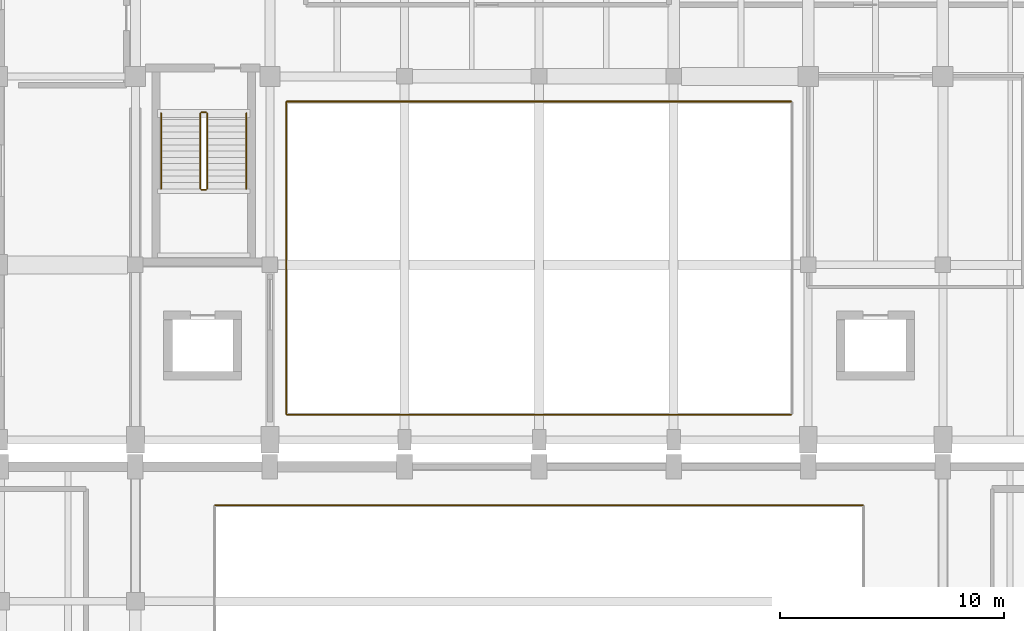
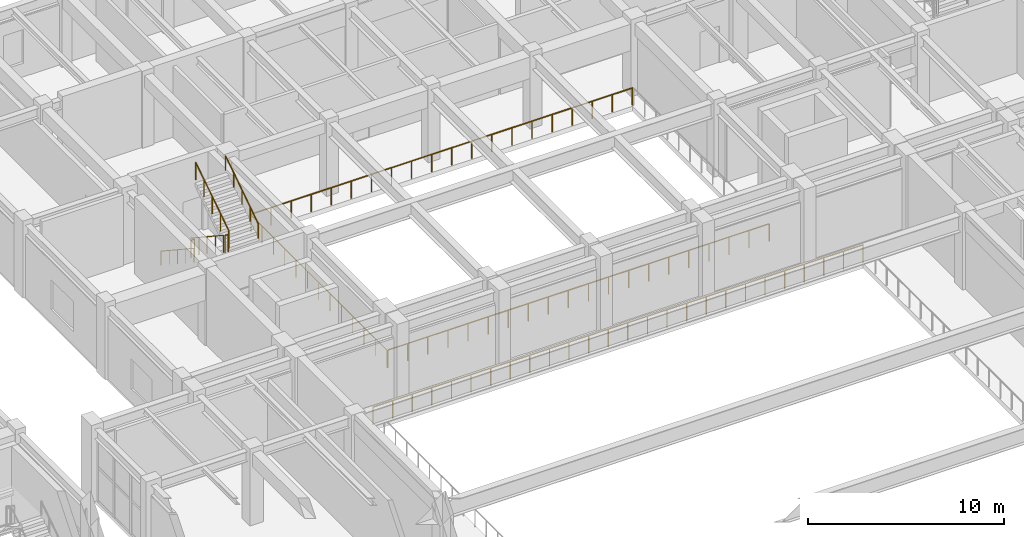
# One storey, part 94 of 96: 10 railings.
"""IFC4 building model written with IfcOpenShell, lengths in metres."""

from ifc_helpers import new_model, si_unit, direction, frame, origin, origin_2d, place, context, subcontext, project, spatial, circle, extrude, material, type_object, element, save


model = new_model("IFC4")

# Units and contexts
model_context = context("Model", 3, precision=1e-05, world=origin(), true_north=direction((0.0, 1.0)))
body_context = subcontext(model_context, "Body", "Model", "MODEL_VIEW")
ifc_project = project(units=[si_unit("LENGTHUNIT", "METRE"), si_unit("AREAUNIT", "SQUARE_METRE"), si_unit("VOLUMEUNIT", "CUBIC_METRE"), si_unit("PLANEANGLEUNIT", "RADIAN"), si_unit("MASSUNIT", "GRAM", prefix="KILO")], contexts=[model_context])

# Site, building, storey
site_placement = place(None, origin())
site = spatial("IfcSite", under=ifc_project, at=site_placement, CompositionType="ELEMENT")
building_placement = place(site_placement, origin())
building = spatial("IfcBuilding", under=site, at=building_placement, Name="Vaelkrest Opera House", CompositionType="ELEMENT")
storey_placement = place(building_placement, frame((0.0, 0.0, 5.39990234375)))
storey = spatial("IfcBuildingStorey", under=building, at=storey_placement, Name="L01", CompositionType="ELEMENT", Elevation=5.39990234375)

# Railings
ifc_material = material(Name="Dark bronze anodized aluminium", Category="aluminium")
railing_type_1 = type_object("IfcRailingType", Name="BL01", PredefinedType="BALUSTRADE", material=ifc_material)
railing_1_placement = place(storey_placement, frame((14.43994140625, 14.47998046875, 0.0)))
element("IfcRailing", 1, at=railing_1_placement, inside=storey, type_object=railing_type_1, Name="Atrium/stage void guard V1 L01-1 seg 3", PredefinedType="BALUSTRADE", context=body_context, shape_type="SweptSolid", body=[
    extrude(circle(Radius=0.02392578125, at=origin_2d()), frame((0.0, 0.0, 1.09619140625), z_axis=(-1.0, 0.0, 0.0), x_axis=(0.0, -1.0, 0.0)), (0.0, 0.0, 1.0), 28.8798828125),
    extrude(circle(Radius=0.02099609375, at=origin_2d()), origin(), (0.0, 0.0, 1.0), 1.072021484375),
    extrude(circle(Radius=0.02099609375, at=origin_2d()), frame((-1.1552734375, 0.0, 0.0)), (0.0, 0.0, 1.0), 1.072021484375),
    extrude(circle(Radius=0.02099609375, at=origin_2d()), frame((-2.310302734375, 0.0, 0.0)), (0.0, 0.0, 1.0), 1.072021484375),
    extrude(circle(Radius=0.02099609375, at=origin_2d()), frame((-3.465576171875, 0.0, 0.0)), (0.0, 0.0, 1.0), 1.072021484375),
    extrude(circle(Radius=0.02099609375, at=origin_2d()), frame((-4.620849609375, 0.0, 0.0)), (0.0, 0.0, 1.0), 1.072021484375),
    extrude(circle(Radius=0.02099609375, at=origin_2d()), frame((-5.77587890625, 0.0, 0.0)), (0.0, 0.0, 1.0), 1.072021484375),
    extrude(circle(Radius=0.02099609375, at=origin_2d()), frame((-6.93115234375, 0.0, 0.0)), (0.0, 0.0, 1.0), 1.072021484375),
    extrude(circle(Radius=0.02099609375, at=origin_2d()), frame((-8.08642578125, 0.0, 0.0)), (0.0, 0.0, 1.0), 1.072021484375),
    extrude(circle(Radius=0.02099609375, at=origin_2d()), frame((-9.241455078125, 0.0, 0.0)), (0.0, 0.0, 1.0), 1.072021484375),
    extrude(circle(Radius=0.02099609375, at=origin_2d()), frame((-10.396728515625, 0.0, 0.0)), (0.0, 0.0, 1.0), 1.072021484375),
    extrude(circle(Radius=0.02099609375, at=origin_2d()), frame((-11.552001953125, 0.0, 0.0)), (0.0, 0.0, 1.0), 1.072021484375),
    extrude(circle(Radius=0.02099609375, at=origin_2d()), frame((-12.70703125, 0.0, 0.0)), (0.0, 0.0, 1.0), 1.072021484375),
    extrude(circle(Radius=0.02099609375, at=origin_2d()), frame((-13.8623046875, 0.0, 0.0)), (0.0, 0.0, 1.0), 1.072021484375),
    extrude(circle(Radius=0.02099609375, at=origin_2d()), frame((-15.017578125, 0.0, 0.0)), (0.0, 0.0, 1.0), 1.072021484375),
    extrude(circle(Radius=0.02099609375, at=origin_2d()), frame((-16.1728515625, 0.0, 0.0)), (0.0, 0.0, 1.0), 1.072021484375),
    extrude(circle(Radius=0.02099609375, at=origin_2d()), frame((-17.327880859375, 0.0, 0.0)), (0.0, 0.0, 1.0), 1.072021484375),
    extrude(circle(Radius=0.02099609375, at=origin_2d()), frame((-18.483154296875, 0.0, 0.0)), (0.0, 0.0, 1.0), 1.072021484375),
    extrude(circle(Radius=0.02099609375, at=origin_2d()), frame((-19.638427734375, 0.0, 0.0)), (0.0, 0.0, 1.0), 1.072021484375),
    extrude(circle(Radius=0.02099609375, at=origin_2d()), frame((-20.79345703125, 0.0, 0.0)), (0.0, 0.0, 1.0), 1.072021484375),
    extrude(circle(Radius=0.02099609375, at=origin_2d()), frame((-21.94873046875, 0.0, 0.0)), (0.0, 0.0, 1.0), 1.072021484375),
    extrude(circle(Radius=0.02099609375, at=origin_2d()), frame((-23.10400390625, 0.0, 0.0)), (0.0, 0.0, 1.0), 1.072021484375),
    extrude(circle(Radius=0.02099609375, at=origin_2d()), frame((-24.259033203125, 0.0, 0.0)), (0.0, 0.0, 1.0), 1.072021484375),
    extrude(circle(Radius=0.02099609375, at=origin_2d()), frame((-25.414306640625, 0.0, 0.0)), (0.0, 0.0, 1.0), 1.072021484375),
    extrude(circle(Radius=0.02099609375, at=origin_2d()), frame((-26.569580078125, 0.0, 0.0)), (0.0, 0.0, 1.0), 1.072021484375),
    extrude(circle(Radius=0.02099609375, at=origin_2d()), frame((-27.724609375, 0.0, 0.0)), (0.0, 0.0, 1.0), 1.072021484375),
    extrude(circle(Radius=0.02099609375, at=origin_2d()), frame((-28.8798828125, 0.0, 0.0)), (0.0, 0.0, 1.0), 1.072021484375),
])
railing_type_2 = type_object("IfcRailingType", Name="GR01", PredefinedType="GUARDRAIL", material=ifc_material)
railing_2_placement = place(storey_placement, frame((-11.239990234375, 18.52001953125, 0.0)))
element("IfcRailing", 2, at=railing_2_placement, inside=storey, type_object=railing_type_2, Name="Atrium/stage void guard V2 L01-1 seg 1", PredefinedType="GUARDRAIL", context=body_context, shape_type="SweptSolid", body=[
    extrude(circle(Radius=0.02392578125, at=origin_2d()), frame((0.0, 0.0, 1.076171875), z_axis=(1.0, 0.0, 0.0), x_axis=(0.0, 1.0, 0.0)), (0.0, 0.0, 1.0), 22.47998046875),
    extrude(circle(Radius=0.02099609375, at=origin_2d()), origin(), (0.0, 0.0, 1.0), 1.052001953125),
    extrude(circle(Radius=0.02099609375, at=origin_2d()), frame((1.18310546875, 0.0, 0.0)), (0.0, 0.0, 1.0), 1.052001953125),
    extrude(circle(Radius=0.02099609375, at=origin_2d()), frame((2.3662109375, 0.0, 0.0)), (0.0, 0.0, 1.0), 1.052001953125),
    extrude(circle(Radius=0.02099609375, at=origin_2d()), frame((3.549560546875, 0.0, 0.0)), (0.0, 0.0, 1.0), 1.052001953125),
    extrude(circle(Radius=0.02099609375, at=origin_2d()), frame((4.732666015625, 0.0, 0.0)), (0.0, 0.0, 1.0), 1.052001953125),
    extrude(circle(Radius=0.02099609375, at=origin_2d()), frame((5.915771484375, 0.0, 0.0)), (0.0, 0.0, 1.0), 1.052001953125),
    extrude(circle(Radius=0.02099609375, at=origin_2d()), frame((7.098876953125, 0.0, 0.0)), (0.0, 0.0, 1.0), 1.052001953125),
    extrude(circle(Radius=0.02099609375, at=origin_2d()), frame((8.281982421875, 0.0, 0.0)), (0.0, 0.0, 1.0), 1.052001953125),
    extrude(circle(Radius=0.02099609375, at=origin_2d()), frame((9.46533203125, 0.0, 0.0)), (0.0, 0.0, 1.0), 1.052001953125),
    extrude(circle(Radius=0.02099609375, at=origin_2d()), frame((10.6484375, 0.0, 0.0)), (0.0, 0.0, 1.0), 1.052001953125),
    extrude(circle(Radius=0.02099609375, at=origin_2d()), frame((11.83154296875, 0.0, 0.0)), (0.0, 0.0, 1.0), 1.052001953125),
    extrude(circle(Radius=0.02099609375, at=origin_2d()), frame((13.0146484375, 0.0, 0.0)), (0.0, 0.0, 1.0), 1.052001953125),
    extrude(circle(Radius=0.02099609375, at=origin_2d()), frame((14.197998046875, 0.0, 0.0)), (0.0, 0.0, 1.0), 1.052001953125),
    extrude(circle(Radius=0.02099609375, at=origin_2d()), frame((15.381103515625, 0.0, 0.0)), (0.0, 0.0, 1.0), 1.052001953125),
    extrude(circle(Radius=0.02099609375, at=origin_2d()), frame((16.564208984375, 0.0, 0.0)), (0.0, 0.0, 1.0), 1.052001953125),
    extrude(circle(Radius=0.02099609375, at=origin_2d()), frame((17.747314453125, 0.0, 0.0)), (0.0, 0.0, 1.0), 1.052001953125),
    extrude(circle(Radius=0.02099609375, at=origin_2d()), frame((18.930419921875, 0.0, 0.0)), (0.0, 0.0, 1.0), 1.052001953125),
    extrude(circle(Radius=0.02099609375, at=origin_2d()), frame((20.11376953125, 0.0, 0.0)), (0.0, 0.0, 1.0), 1.052001953125),
    extrude(circle(Radius=0.02099609375, at=origin_2d()), frame((21.296875, 0.0, 0.0)), (0.0, 0.0, 1.0), 1.052001953125),
    extrude(circle(Radius=0.02099609375, at=origin_2d()), frame((22.47998046875, 0.0, 0.0)), (0.0, 0.0, 1.0), 1.052001953125),
])
railing_3_placement = place(storey_placement, frame((11.239990234375, 32.47998046875, 0.0)))
element("IfcRailing", 3, at=railing_3_placement, inside=storey, type_object=railing_type_2, Name="Atrium/stage void guard V2 L01-1 seg 3", PredefinedType="GUARDRAIL", context=body_context, shape_type="SweptSolid", body=[
    extrude(circle(Radius=0.02392578125, at=origin_2d()), frame((0.0, 0.0, 1.076171875), z_axis=(-1.0, 0.0, 0.0), x_axis=(0.0, -1.0, 0.0)), (0.0, 0.0, 1.0), 22.47998046875),
    extrude(circle(Radius=0.02099609375, at=origin_2d()), origin(), (0.0, 0.0, 1.0), 1.052001953125),
    extrude(circle(Radius=0.02099609375, at=origin_2d()), frame((-1.18310546875, 0.0, 0.0)), (0.0, 0.0, 1.0), 1.052001953125),
    extrude(circle(Radius=0.02099609375, at=origin_2d()), frame((-2.3662109375, 0.0, 0.0)), (0.0, 0.0, 1.0), 1.052001953125),
    extrude(circle(Radius=0.02099609375, at=origin_2d()), frame((-3.549560546875, 0.0, 0.0)), (0.0, 0.0, 1.0), 1.052001953125),
    extrude(circle(Radius=0.02099609375, at=origin_2d()), frame((-4.732666015625, 0.0, 0.0)), (0.0, 0.0, 1.0), 1.052001953125),
    extrude(circle(Radius=0.02099609375, at=origin_2d()), frame((-5.915771484375, 0.0, 0.0)), (0.0, 0.0, 1.0), 1.052001953125),
    extrude(circle(Radius=0.02099609375, at=origin_2d()), frame((-7.098876953125, 0.0, 0.0)), (0.0, 0.0, 1.0), 1.052001953125),
    extrude(circle(Radius=0.02099609375, at=origin_2d()), frame((-8.281982421875, 0.0, 0.0)), (0.0, 0.0, 1.0), 1.052001953125),
    extrude(circle(Radius=0.02099609375, at=origin_2d()), frame((-9.46533203125, 0.0, 0.0)), (0.0, 0.0, 1.0), 1.052001953125),
    extrude(circle(Radius=0.02099609375, at=origin_2d()), frame((-10.6484375, 0.0, 0.0)), (0.0, 0.0, 1.0), 1.052001953125),
    extrude(circle(Radius=0.02099609375, at=origin_2d()), frame((-11.83154296875, 0.0, 0.0)), (0.0, 0.0, 1.0), 1.052001953125),
    extrude(circle(Radius=0.02099609375, at=origin_2d()), frame((-13.0146484375, 0.0, 0.0)), (0.0, 0.0, 1.0), 1.052001953125),
    extrude(circle(Radius=0.02099609375, at=origin_2d()), frame((-14.197998046875, 0.0, 0.0)), (0.0, 0.0, 1.0), 1.052001953125),
    extrude(circle(Radius=0.02099609375, at=origin_2d()), frame((-15.381103515625, 0.0, 0.0)), (0.0, 0.0, 1.0), 1.052001953125),
    extrude(circle(Radius=0.02099609375, at=origin_2d()), frame((-16.564208984375, 0.0, 0.0)), (0.0, 0.0, 1.0), 1.052001953125),
    extrude(circle(Radius=0.02099609375, at=origin_2d()), frame((-17.747314453125, 0.0, 0.0)), (0.0, 0.0, 1.0), 1.052001953125),
    extrude(circle(Radius=0.02099609375, at=origin_2d()), frame((-18.930419921875, 0.0, 0.0)), (0.0, 0.0, 1.0), 1.052001953125),
    extrude(circle(Radius=0.02099609375, at=origin_2d()), frame((-20.11376953125, 0.0, 0.0)), (0.0, 0.0, 1.0), 1.052001953125),
    extrude(circle(Radius=0.02099609375, at=origin_2d()), frame((-21.296875, 0.0, 0.0)), (0.0, 0.0, 1.0), 1.052001953125),
    extrude(circle(Radius=0.02099609375, at=origin_2d()), frame((-22.47998046875, 0.0, 0.0)), (0.0, 0.0, 1.0), 1.052001953125),
])
railing_4_placement = place(storey_placement, frame((-11.280029296875, 32.43994140625, 0.0)))
element("IfcRailing", 4, at=railing_4_placement, inside=storey, type_object=railing_type_2, Name="Atrium/stage void guard V2 L01-1 seg 4", PredefinedType="GUARDRAIL", context=body_context, shape_type="SweptSolid", body=[
    extrude(circle(Radius=0.02392578125, at=origin_2d()), frame((0.0, 0.0, 1.076171875), z_axis=(0.0, -1.0, 0.0), x_axis=(1.0, 0.0, 0.0)), (0.0, 0.0, 1.0), 13.8798828125),
    extrude(circle(Radius=0.02099609375, at=origin_2d()), origin(), (0.0, 0.0, 1.0), 1.052001953125),
    extrude(circle(Radius=0.02099609375, at=origin_2d()), frame((0.0, -1.15673828125, 0.0)), (0.0, 0.0, 1.0), 1.052001953125),
    extrude(circle(Radius=0.02099609375, at=origin_2d()), frame((0.0, -2.313232421875, 0.0)), (0.0, 0.0, 1.0), 1.052001953125),
    extrude(circle(Radius=0.02099609375, at=origin_2d()), frame((0.0, -3.469970703125, 0.0)), (0.0, 0.0, 1.0), 1.052001953125),
    extrude(circle(Radius=0.02099609375, at=origin_2d()), frame((0.0, -4.626708984375, 0.0)), (0.0, 0.0, 1.0), 1.052001953125),
    extrude(circle(Radius=0.02099609375, at=origin_2d()), frame((0.0, -5.783203125, 0.0)), (0.0, 0.0, 1.0), 1.052001953125),
    extrude(circle(Radius=0.02099609375, at=origin_2d()), frame((0.0, -6.93994140625, 0.0)), (0.0, 0.0, 1.0), 1.052001953125),
    extrude(circle(Radius=0.02099609375, at=origin_2d()), frame((0.0, -8.0966796875, 0.0)), (0.0, 0.0, 1.0), 1.052001953125),
    extrude(circle(Radius=0.02099609375, at=origin_2d()), frame((0.0, -9.253173828125, 0.0)), (0.0, 0.0, 1.0), 1.052001953125),
    extrude(circle(Radius=0.02099609375, at=origin_2d()), frame((0.0, -10.409912109375, 0.0)), (0.0, 0.0, 1.0), 1.052001953125),
    extrude(circle(Radius=0.02099609375, at=origin_2d()), frame((0.0, -11.566650390625, 0.0)), (0.0, 0.0, 1.0), 1.052001953125),
    extrude(circle(Radius=0.02099609375, at=origin_2d()), frame((0.0, -12.72314453125, 0.0)), (0.0, 0.0, 1.0), 1.052001953125),
    extrude(circle(Radius=0.02099609375, at=origin_2d()), frame((0.0, -13.8798828125, 0.0)), (0.0, 0.0, 1.0), 1.052001953125),
])
railing_type_3 = type_object("IfcRailingType", Name="GR02", PredefinedType="GUARDRAIL", material=ifc_material)
railing_5_placement = place(storey_placement, frame((-15.10009765625, 31.949951171875, 0.184814453125)))
element("IfcRailing", 5, at=railing_5_placement, inside=storey, type_object=railing_type_3, Name="L01 ST05 stair guard 1", PredefinedType="GUARDRAIL", context=body_context, shape_type="SweptSolid", body=[
    extrude(circle(Radius=0.02392578125, at=origin_2d()), frame((0.0, 0.0, 1.076171875), z_axis=(0.0, -0.834858096282, 0.550465220583), x_axis=(1.0, 0.0, 0.0)), (0.0, 0.0, 1.0), 4.0244140625),
    extrude(circle(Radius=0.02099609375, at=origin_2d()), origin(), (0.0, 0.0, 1.0), 1.052001953125),
    extrude(circle(Radius=0.02099609375, at=origin_2d()), frame((0.0, -0.83984375, 0.5537109375)), (0.0, 0.0, 1.0), 1.052001953125),
    extrude(circle(Radius=0.02099609375, at=origin_2d()), frame((0.0, -1.679931640625, 1.107666015625)), (0.0, 0.0, 1.0), 1.052001953125),
    extrude(circle(Radius=0.02099609375, at=origin_2d()), frame((0.0, -2.52001953125, 1.66162109375)), (0.0, 0.0, 1.0), 1.052001953125),
    extrude(circle(Radius=0.02099609375, at=origin_2d()), frame((0.0, -3.35986328125, 2.21533203125)), (0.0, 0.0, 1.0), 1.052001953125),
])
railing_6_placement = place(storey_placement, frame((-15.050048828125, 28.5400390625, 2.400146484375)))
element("IfcRailing", 6, at=railing_6_placement, inside=storey, type_object=railing_type_3, Name="L01 ST05 stair guard 2", PredefinedType="GUARDRAIL", context=body_context, shape_type="SweptSolid", body=[
    extrude(circle(Radius=0.02392578125, at=origin_2d()), frame((0.0, 0.0, 1.076171875), z_axis=(1.0, 0.0, 0.0), x_axis=(0.0, 1.0, 0.0)), (0.0, 0.0, 1.0), 0.199951171875),
    extrude(circle(Radius=0.02099609375, at=origin_2d()), origin(), (0.0, 0.0, 1.0), 1.052001953125),
    extrude(circle(Radius=0.02099609375, at=origin_2d()), frame((0.199951171875, 0.0, 0.0)), (0.0, 0.0, 1.0), 1.052001953125),
])
railing_7_placement = place(storey_placement, frame((-14.800048828125, 28.590087890625, 2.584716796875)))
element("IfcRailing", 7, at=railing_7_placement, inside=storey, type_object=railing_type_3, Name="L01 ST05 stair guard 3", PredefinedType="GUARDRAIL", context=body_context, shape_type="SweptSolid", body=[
    extrude(circle(Radius=0.02392578125, at=origin_2d()), frame((0.0, 0.0, 1.076171875), z_axis=(0.0, 0.834858096282, 0.550465220583), x_axis=(-1.0, 0.0, 0.0)), (0.0, 0.0, 1.0), 4.0244140625),
    extrude(circle(Radius=0.02099609375, at=origin_2d()), origin(), (0.0, 0.0, 1.0), 1.052001953125),
    extrude(circle(Radius=0.02099609375, at=origin_2d()), frame((0.0, 0.83984375, 0.5537109375)), (0.0, 0.0, 1.0), 1.052001953125),
    extrude(circle(Radius=0.02099609375, at=origin_2d()), frame((0.0, 1.679931640625, 1.107666015625)), (0.0, 0.0, 1.0), 1.052001953125),
    extrude(circle(Radius=0.02099609375, at=origin_2d()), frame((0.0, 2.52001953125, 1.66162109375)), (0.0, 0.0, 1.0), 1.052001953125),
    extrude(circle(Radius=0.02099609375, at=origin_2d()), frame((0.0, 3.35986328125, 2.21533203125)), (0.0, 0.0, 1.0), 1.052001953125),
])
railing_8_placement = place(storey_placement, frame((-15.050048828125, 32.0, 0.0)))
element("IfcRailing", 8, at=railing_8_placement, inside=storey, type_object=railing_type_3, Name="L01 ST05 stair guard 4", PredefinedType="GUARDRAIL", context=body_context, shape_type="SweptSolid", body=[
    extrude(circle(Radius=0.02392578125, at=origin_2d()), frame((0.0, 0.0, 1.076171875), z_axis=(1.0, 0.0, 0.0), x_axis=(0.0, 1.0, 0.0)), (0.0, 0.0, 1.0), 0.199951171875),
    extrude(circle(Radius=0.02099609375, at=origin_2d()), origin(), (0.0, 0.0, 1.0), 1.052001953125),
    extrude(circle(Radius=0.02099609375, at=origin_2d()), frame((0.199951171875, 0.0, 0.0)), (0.0, 0.0, 1.0), 1.052001953125),
])
railing_type_4 = type_object("IfcRailingType", Name="HR02", PredefinedType="HANDRAIL", material=ifc_material)
railing_9_placement = place(storey_placement, frame((-16.85009765625, 31.949951171875, 0.184814453125)))
element("IfcRailing", 9, at=railing_9_placement, inside=storey, type_object=railing_type_4, Name="L01 ST05 stair handrail 1", PredefinedType="HANDRAIL", context=body_context, shape_type="SweptSolid", body=[
    extrude(circle(Radius=0.02392578125, at=origin_2d()), frame((0.0, 0.0, 0.8759765625), z_axis=(0.0, -0.834858096282, 0.550465220583), x_axis=(1.0, 0.0, 0.0)), (0.0, 0.0, 1.0), 4.0244140625),
    extrude(circle(Radius=0.02099609375, at=origin_2d()), origin(), (0.0, 0.0, 1.0), 0.851806640625),
    extrude(circle(Radius=0.02099609375, at=origin_2d()), frame((0.0, -0.83984375, 0.5537109375)), (0.0, 0.0, 1.0), 0.851806640625),
    extrude(circle(Radius=0.02099609375, at=origin_2d()), frame((0.0, -1.679931640625, 1.107666015625)), (0.0, 0.0, 1.0), 0.851806640625),
    extrude(circle(Radius=0.02099609375, at=origin_2d()), frame((0.0, -2.52001953125, 1.66162109375)), (0.0, 0.0, 1.0), 0.851806640625),
    extrude(circle(Radius=0.02099609375, at=origin_2d()), frame((0.0, -3.35986328125, 2.21533203125)), (0.0, 0.0, 1.0), 0.851806640625),
])
railing_10_placement = place(storey_placement, frame((-13.050048828125, 28.590087890625, 2.584716796875)))
element("IfcRailing", 10, at=railing_10_placement, inside=storey, type_object=railing_type_4, Name="L01 ST05 stair handrail 2", PredefinedType="HANDRAIL", context=body_context, shape_type="SweptSolid", body=[
    extrude(circle(Radius=0.02392578125, at=origin_2d()), frame((0.0, 0.0, 0.8759765625), z_axis=(0.0, 0.834858096282, 0.550465220583), x_axis=(-1.0, 0.0, 0.0)), (0.0, 0.0, 1.0), 4.0244140625),
    extrude(circle(Radius=0.02099609375, at=origin_2d()), origin(), (0.0, 0.0, 1.0), 0.851806640625),
    extrude(circle(Radius=0.02099609375, at=origin_2d()), frame((0.0, 0.83984375, 0.5537109375)), (0.0, 0.0, 1.0), 0.851806640625),
    extrude(circle(Radius=0.02099609375, at=origin_2d()), frame((0.0, 1.679931640625, 1.107666015625)), (0.0, 0.0, 1.0), 0.851806640625),
    extrude(circle(Radius=0.02099609375, at=origin_2d()), frame((0.0, 2.52001953125, 1.66162109375)), (0.0, 0.0, 1.0), 0.851806640625),
    extrude(circle(Radius=0.02099609375, at=origin_2d()), frame((0.0, 3.35986328125, 2.21533203125)), (0.0, 0.0, 1.0), 0.851806640625),
])

save(model, "model.ifc")
